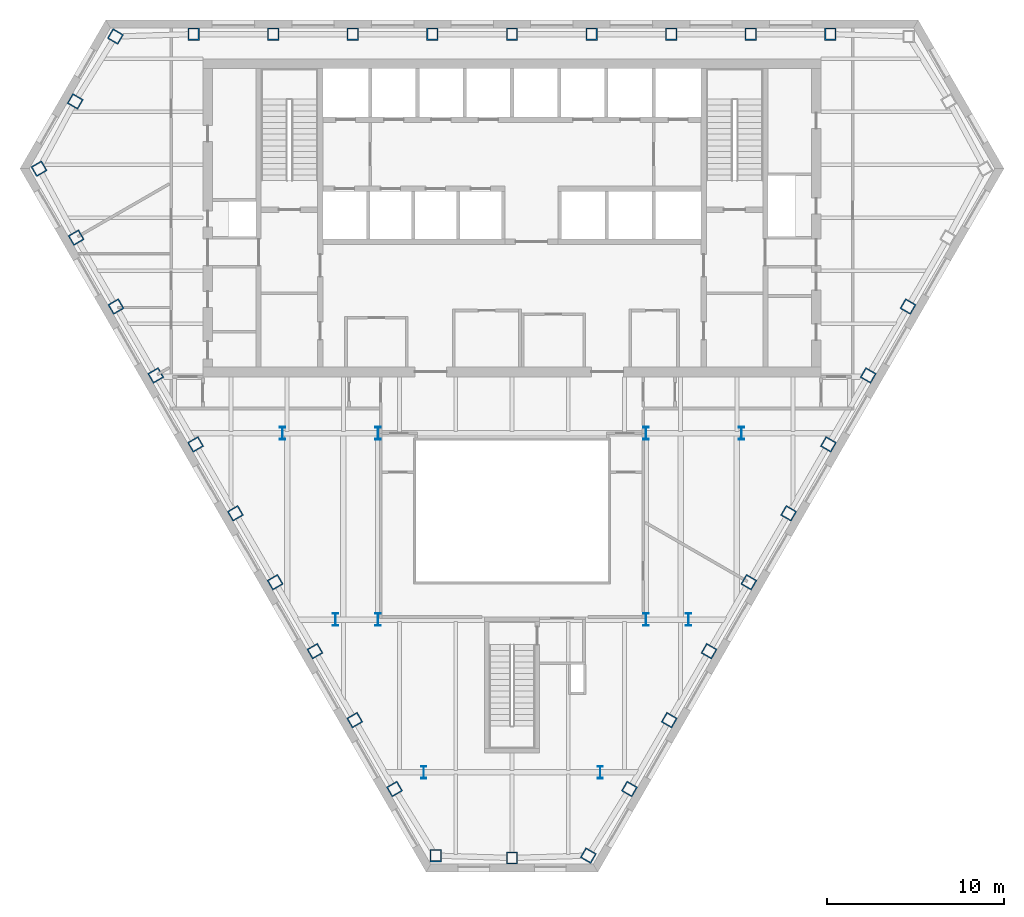
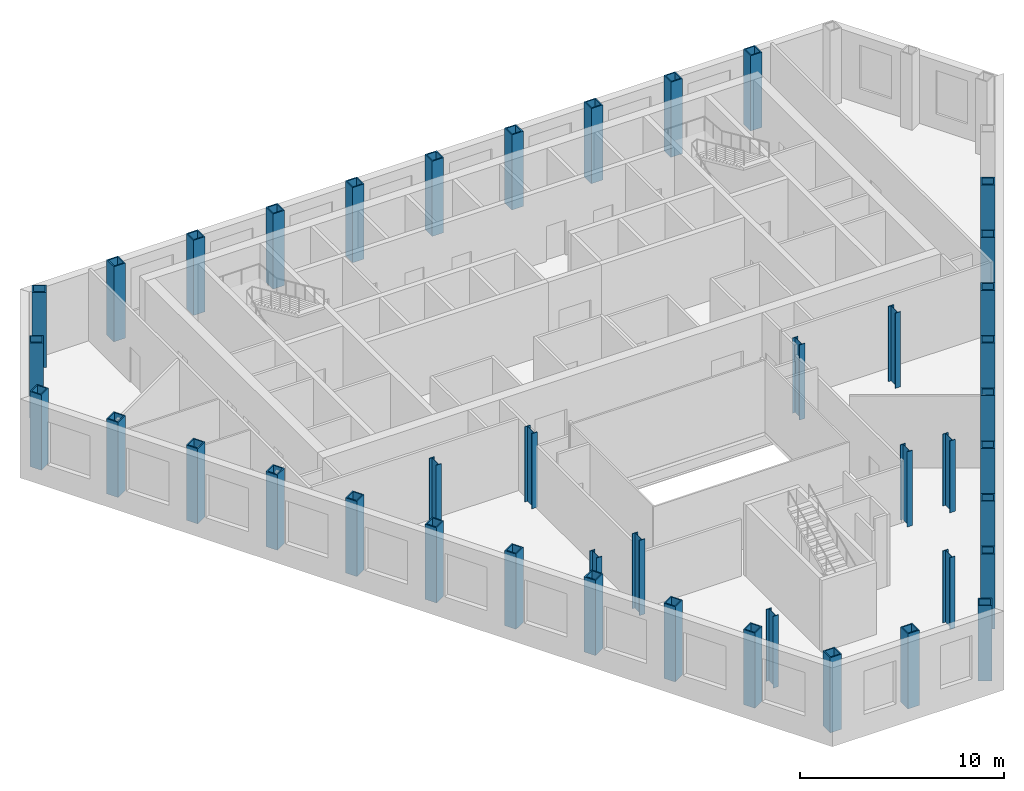
# One storey, part 1 of 11: 42 columns.
"""IFC4 building model written with IfcOpenShell, lengths in metres."""

from ifc_helpers import new_model, si_unit, direction, frame, origin, origin_2d, place, context, subcontext, project, spatial, hollow_rectangle, i_section, extrude, material, material_profile, profile_set, type_object, element, save


model = new_model("IFC4")

# Units and contexts
model_context = context("Model", 3, precision=1e-05, world=origin(), true_north=direction((0.0, 1.0)))
body_context = subcontext(model_context, "Body", "Model", "MODEL_VIEW")
ifc_project = project(units=[si_unit("LENGTHUNIT", "METRE"), si_unit("AREAUNIT", "SQUARE_METRE"), si_unit("VOLUMEUNIT", "CUBIC_METRE"), si_unit("PLANEANGLEUNIT", "RADIAN"), si_unit("MASSUNIT", "GRAM", prefix="KILO")], contexts=[model_context])

# Site, building, storey
site_placement = place(None, origin())
site = spatial("IfcSite", under=ifc_project, at=site_placement, CompositionType="ELEMENT")
building_placement = place(site_placement, origin())
building = spatial("IfcBuilding", under=site, at=building_placement, Name="Njiva Tower", CompositionType="ELEMENT")
storey_placement = place(building_placement, frame((0.0, 0.0, 120.3)))
storey = spatial("IfcBuildingStorey", under=building, at=storey_placement, Name="L25", CompositionType="ELEMENT", Elevation=120.3)

# Columns
ifc_material = material(Name="Steel S355 J2", Category="steel")
ifc_material_profile_1 = material_profile(ifc_material, hollow_rectangle(XDim=0.65, YDim=0.7, WallThickness=0.065, at=origin_2d()), Name="BOX 700x650x65")
ifc_profile_set_1 = profile_set([ifc_material_profile_1], Name="Steel S355 J2")
column_type_1 = type_object("IfcColumnType", Name="C7 Perimeter tube column BOX 700x650x65", PredefinedType="COLUMN", material=ifc_profile_set_1)
for number, where, z_axis, x_axis, name in (
    (1, (18.026, 19.4, 0.0), (0.0, 0.0, 1.0), (-1.0, 0.0, 0.0), "Perimeter tube column S08-C02"),
    (2, (13.52, 19.4, 0.0), (0.0, 0.0, 1.0), (-1.0, 0.0, 0.0), "Perimeter tube column S08-C03"),
    (3, (9.013, 19.4, 0.0), (0.0, 0.0, 1.0), (-1.0, 0.0, 0.0), "Perimeter tube column S08-C04"),
    (4, (4.507, 19.4, 0.0), (0.0, 0.0, 1.0), (-1.0, 0.0, 0.0), "Perimeter tube column S08-C05"),
    (5, (0.0, 19.4, 0.0), (0.0, 0.0, 1.0), (-1.0, 0.0, 0.0), "Perimeter tube column S08-C06"),
    (6, (-4.507, 19.4, 0.0), (0.0, 0.0, 1.0), (-1.0, 0.0, 0.0), "Perimeter tube column S08-C07"),
    (7, (-9.013, 19.4, 0.0), (0.0, 0.0, 1.0), (-1.0, 0.0, 0.0), "Perimeter tube column S08-C08"),
    (8, (-13.52, 19.4, 0.0), (0.0, 0.0, 1.0), (-1.0, 0.0, 0.0), "Perimeter tube column S08-C09"),
    (9, (-18.026, 19.4, 0.0), (0.0, 0.0, 1.0), (-1.0, 0.0, 0.0), "Perimeter tube column S08-C10"),
    (10, (-22.456, 19.267, 0.0), (0.0, 0.0, 1.0), (-0.5, -0.866025403784, 0.0), "Perimeter tube column S08-C11"),
    (11, (-24.732, 15.591, 0.0), (0.0, 0.0, 1.0), (-0.5, -0.866025403784, 0.0), "Perimeter tube column S08-C12"),
    (12, (-26.778, 11.782, 0.0), (0.0, 0.0, 1.0), (0.5, -0.866025403784, 0.0), "Perimeter tube column S08-C13"),
    (13, (-24.678, 7.879, 0.0), (0.0, 0.0, 1.0), (0.5, -0.866025403784, 0.0), "Perimeter tube column S08-C14"),
    (14, (-22.425, 3.977, 0.0), (0.0, 0.0, 1.0), (0.5, -0.866025403784, 0.0), "Perimeter tube column S08-C15"),
    (15, (-20.171, 0.074, 0.0), (0.0, 0.0, 1.0), (0.5, -0.866025403784, 0.0), "Perimeter tube column S08-C16"),
    (16, (-17.918, -3.829, 0.0), (0.0, 0.0, 1.0), (0.5, -0.866025403784, 0.0), "Perimeter tube column S08-C17"),
    (17, (-15.665, -7.732, 0.0), (0.0, 0.0, 1.0), (0.5, -0.866025403784, 0.0), "Perimeter tube column S08-C18"),
    (18, (-13.411, -11.635, 0.0), (0.0, 0.0, 1.0), (0.5, -0.866025403784, 0.0), "Perimeter tube column S08-C19"),
    (19, (-11.158, -15.538, 0.0), (0.0, 0.0, 1.0), (0.5, -0.866025403784, 0.0), "Perimeter tube column S08-C20"),
    (20, (-8.905, -19.441, 0.0), (0.0, 0.0, 1.0), (0.5, -0.866025403784, 0.0), "Perimeter tube column S08-C21"),
    (21, (-6.651, -23.343, 0.0), (0.0, 0.0, 1.0), (0.5, -0.866025403784, 0.0), "Perimeter tube column S08-C22"),
    (22, (-4.321, -27.113, 0.0), (0.0, 0.0, 1.0), (1.0, 0.0, 0.0), "Perimeter tube column S08-C23"),
    (23, (0.0, -27.246, 0.0), (0.0, 0.0, 1.0), (1.0, 0.0, 0.0), "Perimeter tube column S08-C24"),
    (24, (4.321, -27.113, 0.0), (0.0, 0.0, 1.0), (0.5, 0.866025403784, 0.0), "Perimeter tube column S08-C25"),
    (25, (6.651, -23.343, 0.0), (0.0, 0.0, 1.0), (0.5, 0.866025403784, 0.0), "Perimeter tube column S08-C26"),
    (26, (8.905, -19.441, 0.0), (0.0, 0.0, 1.0), (0.5, 0.866025403784, 0.0), "Perimeter tube column S08-C27"),
    (27, (11.158, -15.538, 0.0), (0.0, 0.0, 1.0), (0.5, 0.866025403784, 0.0), "Perimeter tube column S08-C28"),
    (28, (13.411, -11.635, 0.0), (0.0, 0.0, 1.0), (0.5, 0.866025403784, 0.0), "Perimeter tube column S08-C29"),
    (29, (15.665, -7.732, 0.0), (0.0, 0.0, 1.0), (0.5, 0.866025403784, 0.0), "Perimeter tube column S08-C30"),
    (30, (17.918, -3.829, 0.0), (0.0, 0.0, 1.0), (0.5, 0.866025403784, 0.0), "Perimeter tube column S08-C31"),
    (31, (20.171, 0.074, 0.0), (0.0, 0.0, 1.0), (0.5, 0.866025403784, 0.0), "Perimeter tube column S08-C32"),
    (32, (22.425, 3.977, 0.0), (0.0, 0.0, 1.0), (0.5, 0.866025403784, 0.0), "Perimeter tube column S08-C33"),
):
    element("IfcColumn", number, at=place(storey_placement, frame(where, z_axis=z_axis, x_axis=x_axis)), inside=storey, type_object=column_type_1, Name=name, PredefinedType="COLUMN", context=body_context, shape_type="SweptSolid", body=[
        extrude(hollow_rectangle(XDim=0.65, YDim=0.7, WallThickness=0.065, at=origin_2d()), origin(), (0.0, 0.0, 1.0), 4.5),
    ])
ifc_material_profile_2 = material_profile(ifc_material, i_section(OverallWidth=0.304, OverallDepth=0.716, WebThickness=0.021, FlangeThickness=0.04, at=origin_2d()), Name="HEM 700")
ifc_profile_set_2 = profile_set([ifc_material_profile_2], Name="Steel S355 J2")
column_type_2 = type_object("IfcColumnType", Name="C8 Interior column HEM 700", PredefinedType="COLUMN", material=ifc_profile_set_2)
for number, where, z_axis, x_axis, name in (
    (33, (7.58, -3.2, 0.0), (0.0, 0.0, 1.0), (1.0, 0.0, 0.0), "Interior column S08-C37"),
    (34, (-7.58, -3.2, 0.0), (0.0, 0.0, 1.0), (1.0, 0.0, 0.0), "Interior column S08-C38"),
    (35, (7.58, -13.75, 0.0), (0.0, 0.0, 1.0), (1.0, 0.0, 0.0), "Interior column S08-C39"),
    (36, (-7.58, -13.75, 0.0), (0.0, 0.0, 1.0), (1.0, 0.0, 0.0), "Interior column S08-C40"),
):
    element("IfcColumn", number, at=place(storey_placement, frame(where, z_axis=z_axis, x_axis=x_axis)), inside=storey, type_object=column_type_2, Name=name, PredefinedType="COLUMN", context=body_context, shape_type="SweptSolid", body=[
        extrude(i_section(OverallWidth=0.304, OverallDepth=0.716, WebThickness=0.021, FlangeThickness=0.04, at=origin_2d()), origin(), (0.0, 0.0, 1.0), 4.5),
    ])
for number, where, z_axis, x_axis, name in (
    (37, (5.0, -22.4, 0.0), (0.0, 0.0, 1.0), (1.0, 0.0, 0.0), "Interior column S08-C41"),
    (38, (-5.0, -22.4, 0.0), (0.0, 0.0, 1.0), (1.0, 0.0, 0.0), "Interior column S08-C42"),
):
    element("IfcColumn", number, at=place(storey_placement, frame(where, z_axis=z_axis, x_axis=x_axis)), inside=storey, type_object=column_type_2, Name=name, PredefinedType="COLUMN", context=body_context, shape_type="SweptSolid", body=[
        extrude(i_section(OverallWidth=0.304, OverallDepth=0.716, WebThickness=0.021, FlangeThickness=0.04, at=origin_2d()), origin(), (0.0, 0.0, 1.0), 4.3),
    ])
for number, where, z_axis, x_axis, name in (
    (39, (13.0, -3.2, 0.0), (0.0, 0.0, 1.0), (1.0, 0.0, 0.0), "Interior column S08-C43"),
    (40, (-13.0, -3.2, 0.0), (0.0, 0.0, 1.0), (1.0, 0.0, 0.0), "Interior column S08-C44"),
):
    element("IfcColumn", number, at=place(storey_placement, frame(where, z_axis=z_axis, x_axis=x_axis)), inside=storey, type_object=column_type_2, Name=name, PredefinedType="COLUMN", context=body_context, shape_type="SweptSolid", body=[
        extrude(i_section(OverallWidth=0.304, OverallDepth=0.716, WebThickness=0.021, FlangeThickness=0.04, at=origin_2d()), origin(), (0.0, 0.0, 1.0), 4.5),
    ])
for number, where, z_axis, x_axis, name in (
    (41, (10.0, -13.75, 0.0), (0.0, 0.0, 1.0), (1.0, 0.0, 0.0), "Interior column S08-C45"),
    (42, (-10.0, -13.75, 0.0), (0.0, 0.0, 1.0), (1.0, 0.0, 0.0), "Interior column S08-C46"),
):
    element("IfcColumn", number, at=place(storey_placement, frame(where, z_axis=z_axis, x_axis=x_axis)), inside=storey, type_object=column_type_2, Name=name, PredefinedType="COLUMN", context=body_context, shape_type="SweptSolid", body=[
        extrude(i_section(OverallWidth=0.304, OverallDepth=0.716, WebThickness=0.021, FlangeThickness=0.04, at=origin_2d()), origin(), (0.0, 0.0, 1.0), 4.3),
    ])

save(model, "model.ifc")
